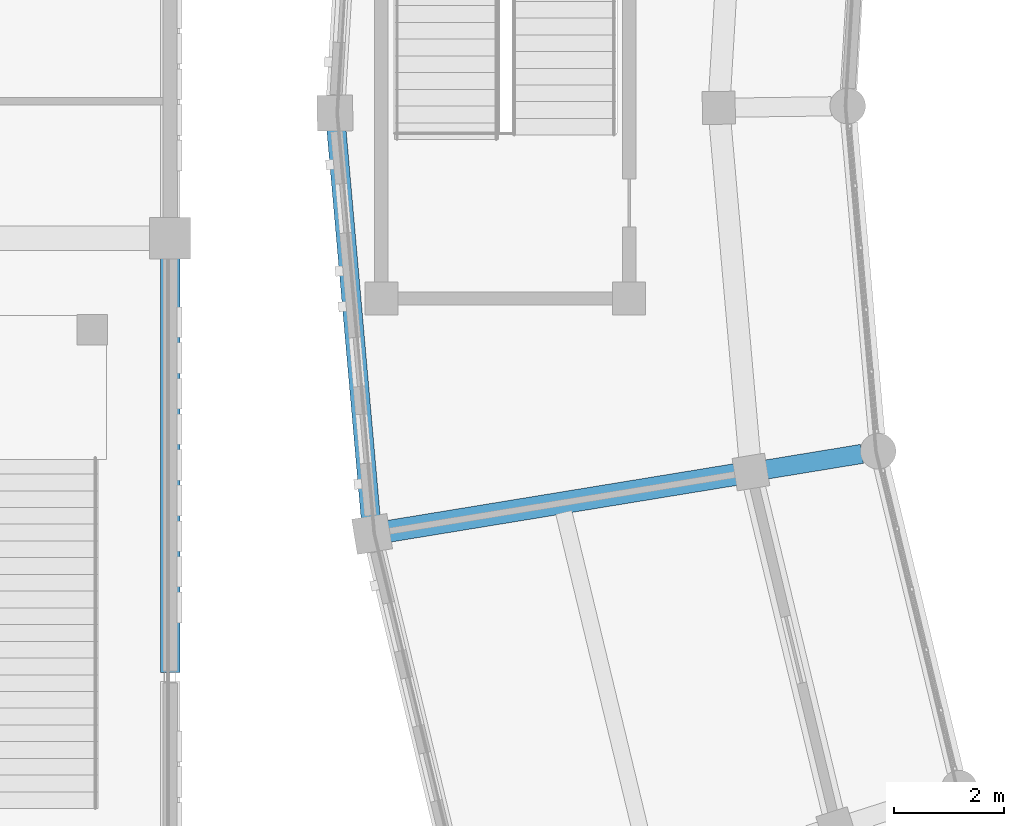
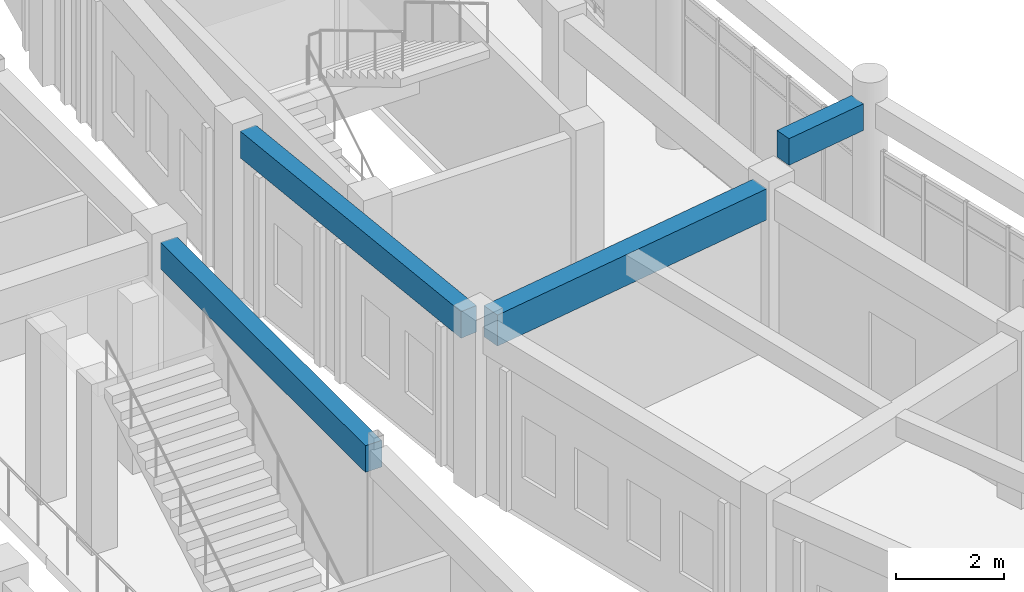
# One storey, part 26 of 159: 4 beams.
"""IFC4 building model written with IfcOpenShell, lengths in metres."""

from ifc_helpers import new_model, si_unit, direction, frame, origin, origin_2d, place, context, subcontext, project, spatial, rectangle, extrude, material, material_profile, profile_set, type_object, element, save


model = new_model("IFC4")

# Units and contexts
model_context = context("Model", 3, precision=1e-05, world=origin(), true_north=direction((0.0, 1.0)))
body_context = subcontext(model_context, "Body", "Model", "MODEL_VIEW")
ifc_project = project(units=[si_unit("LENGTHUNIT", "METRE"), si_unit("AREAUNIT", "SQUARE_METRE"), si_unit("VOLUMEUNIT", "CUBIC_METRE"), si_unit("PLANEANGLEUNIT", "RADIAN"), si_unit("MASSUNIT", "GRAM", prefix="KILO")], contexts=[model_context])

# Site, building, storey
site_placement = place(None, origin())
site = spatial("IfcSite", under=ifc_project, at=site_placement, CompositionType="ELEMENT")
building_placement = place(site_placement, origin())
building = spatial("IfcBuilding", under=site, at=building_placement, Name="Celadon Cloister-Ring School", CompositionType="ELEMENT")
storey_placement = place(building_placement, frame((0.0, 0.0, 4.5)))
storey = spatial("IfcBuildingStorey", under=building, at=storey_placement, Name="L01", CompositionType="ELEMENT", Elevation=4.5)

# Beams
ifc_material_1 = material(Name="Concrete C35/45", Category="concrete")
ifc_material_profile_1 = material_profile(ifc_material_1, rectangle(XDim=0.35009765625, YDim=0.60009765625, at=origin_2d()), Name="RC350X600")
ifc_profile_set_1 = profile_set([ifc_material_profile_1], Name="Concrete C35/45")
beam_type_1 = type_object("IfcBeamType", Name="BT-02", PredefinedType="BEAM", material=ifc_profile_set_1)
beam_1_placement = place(storey_placement, frame((42.861083984375, 51.781005859375, 4.35009765625), z_axis=(0.986836301375, 0.161722337015, 0.0), x_axis=(-0.161722337015, 0.986836301375, 0.0)))
element("IfcBeam", 1, at=beam_1_placement, inside=storey, type_object=beam_type_1, Name="Beam 0215", PredefinedType="BEAM", context=body_context, shape_type="SweptSolid", body=[
    extrude(rectangle(XDim=0.35009765625, YDim=0.60009765625, at=origin_2d()), origin(), (0.0, 0.0, 1.0), 1.775390625),
])
beam_2_placement = place(storey_placement, frame((32.0, 48.0849609375, 3.43994140625), z_axis=(0.0, 1.0, 0.0), x_axis=(-1.0, 0.0, 0.0)))
element("IfcBeam", 2, at=beam_2_placement, inside=storey, type_object=beam_type_1, Name="Beam 1545", PredefinedType="BEAM", context=body_context, shape_type="SweptSolid", body=[
    extrude(rectangle(XDim=0.35009765625, YDim=0.60009765625, at=origin_2d()), origin(), (0.0, 0.0, 1.0), 7.56494140625),
])
ifc_material_2 = material(Name="Concrete C35/45", Category="concrete")
ifc_material_profile_2 = material_profile(ifc_material_2, rectangle(XDim=0.39990234375, YDim=0.699951171875, at=origin_2d()), Name="RC400X700")
ifc_profile_set_2 = profile_set([ifc_material_profile_2], Name="Concrete C35/45")
beam_type_2 = type_object("IfcBeamType", Name="GT-03", PredefinedType="USERDEFINED", material=ifc_profile_set_2)
beam_3_placement = place(storey_placement, frame((35.97802734375, 50.655029296875, 3.429931640625), z_axis=(0.986863240462, 0.161557867726, 0.0), x_axis=(-0.161557867726, 0.986863240462, 0.0)))
element("IfcBeam", 3, at=beam_3_placement, inside=storey, type_object=beam_type_2, Name="Beam 0214", ObjectType="GIRDER", PredefinedType="USERDEFINED", context=body_context, shape_type="SweptSolid", body=[
    extrude(rectangle(XDim=0.39990234375, YDim=0.699951171875, at=origin_2d()), origin(), (0.0, 0.0, 1.0), 6.425537109375),
])
ifc_material_3 = material(Name="Concrete C35/45", Category="concrete")
ifc_material_profile_3 = material_profile(ifc_material_3, rectangle(XDim=0.35009765625, YDim=0.60009765625, at=origin_2d()), Name="RC350X600")
ifc_profile_set_3 = profile_set([ifc_material_profile_3], Name="Concrete C35/45")
beam_type_3 = type_object("IfcBeamType", Name="SP-01", PredefinedType="SPANDREL", material=ifc_profile_set_3)
beam_4_placement = place(storey_placement, frame((35.031005859375, 57.98193359375, 3.47998046875), z_axis=(0.087985087375, -0.996121791951, 0.0), x_axis=(0.996121791951, 0.087985087375, 0.0)))
element("IfcBeam", 4, at=beam_4_placement, inside=storey, type_object=beam_type_3, Name="Beam 0294", PredefinedType="SPANDREL", context=body_context, shape_type="SweptSolid", body=[
    extrude(rectangle(XDim=0.35009765625, YDim=0.60009765625, at=origin_2d()), origin(), (0.0, 0.0, 1.0), 7.103515625),
])

save(model, "model.ifc")
